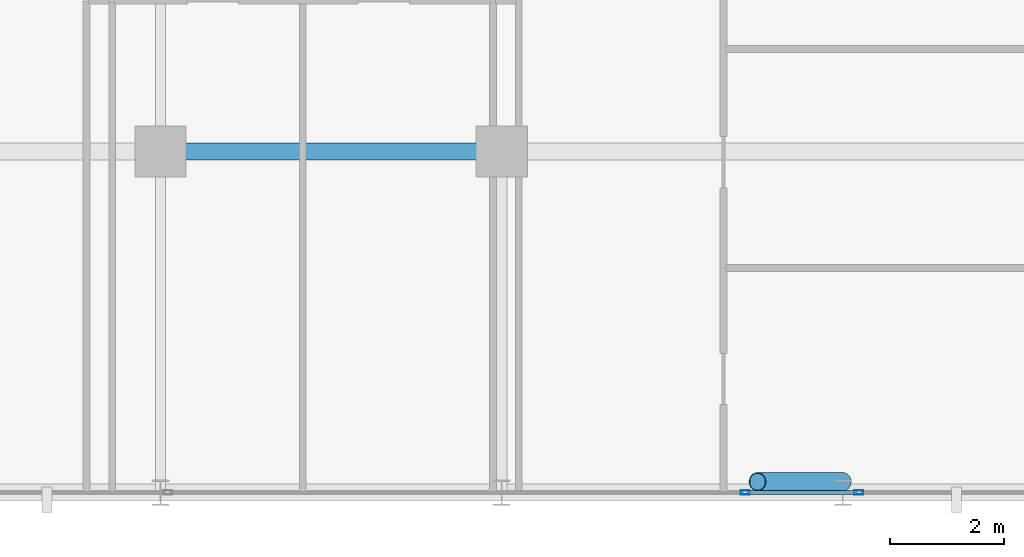
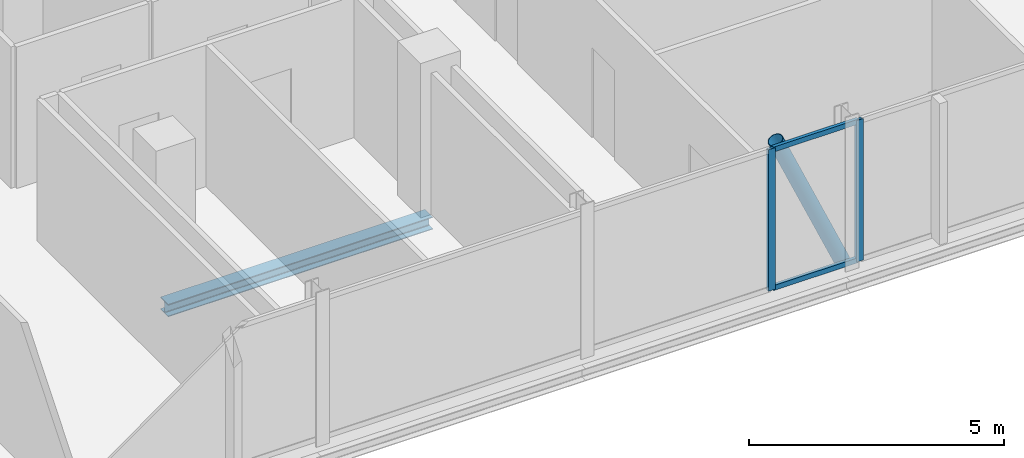
# One storey, part 10 of 29: 5 members, 1 beam, 2 elements without a shape of their own.
"""IFC4 building model written with IfcOpenShell, lengths in metres."""

from ifc_helpers import new_model, si_unit, direction, frame, origin, origin_2d, place, context, subcontext, project, spatial, hollow_rectangle, hollow_circle, i_section, extrude, material, layer, layer_set, material_profile, profile_set, type_object, element, aggregate, save


model = new_model("IFC4")

# Units and contexts
model_context = context("Model", 3, precision=1e-05, world=origin(), true_north=direction((0.0, 1.0)))
body_context = subcontext(model_context, "Body", "Model", "MODEL_VIEW")
ifc_project = project(units=[si_unit("LENGTHUNIT", "METRE"), si_unit("AREAUNIT", "SQUARE_METRE"), si_unit("VOLUMEUNIT", "CUBIC_METRE"), si_unit("PLANEANGLEUNIT", "RADIAN"), si_unit("MASSUNIT", "GRAM", prefix="KILO")], contexts=[model_context])

# Site, building, storey
site_placement = place(None, origin())
site = spatial("IfcSite", under=ifc_project, at=site_placement, CompositionType="ELEMENT")
building_placement = place(site_placement, origin())
building = spatial("IfcBuilding", under=site, at=building_placement, Name="Keshet Zoharim Tower", CompositionType="ELEMENT")
storey_placement = place(building_placement, frame((0.0, 0.0, 203.199951171875)))
storey = spatial("IfcBuildingStorey", under=building, at=storey_placement, Name="L50", CompositionType="ELEMENT", Elevation=203.199951171875)

# Beam
ifc_material_1 = material(Name="Steel S355", Category="steel")
ifc_material_profile_1 = material_profile(ifc_material_1, i_section(OverallWidth=0.300048828125, OverallDepth=0.300048828125, WebThickness=0.010986328125, FlangeThickness=0.01904296875, FilletRadius=0.027099609375, at=origin_2d()), Name="HEB300")
ifc_profile_set_1 = profile_set([ifc_material_profile_1], Name="Steel S355")
beam_type = type_object("IfcBeamType", Name="BM-PRI-HB300", PredefinedType="BEAM", material=ifc_profile_set_1)
beam_placement = place(storey_placement, frame((33.0, 6.699951171875, -0.4599609375), z_axis=(1.0, 0.0, 0.0), x_axis=(0.0, 1.0, 0.0)))
element("IfcBeam", 1, at=beam_placement, inside=storey, type_object=beam_type, Name="L50 Primary Girder X-007", PredefinedType="BEAM", context=body_context, shape_type="SweptSolid", body=[
    extrude(i_section(OverallWidth=0.300048828125, OverallDepth=0.300048828125, WebThickness=0.010986328125, FlangeThickness=0.01904296875, FilletRadius=0.027099609375, at=origin_2d()), origin(), (0.0, 0.0, 1.0), 6.0),
])

# Curtain wall, member
ifc_material_2 = material(Name="Aluminium 6063-T6", Category="aluminium")
ifc_layer = layer(ifc_material_2, 0.139892578125)
ifc_layer_set = layer_set([ifc_layer], Name="Aluminium 6063-T6")
curtain_wall_type = type_object("IfcCurtainWallType", Name="CW-SYS-05", PredefinedType="NOTDEFINED", material=ifc_layer_set)
curtain_wall_1_placement = place(storey_placement, origin())
curtain_wall_1 = element("IfcCurtainWall", 2, at=curtain_wall_1_placement, inside=storey, type_object=curtain_wall_type, Name="L50 Unitised Curtain Wall 06", PredefinedType="NOTDEFINED")
ifc_material_profile_2 = material_profile(ifc_material_2, hollow_rectangle(XDim=0.074951171875, YDim=0.159912109375, WallThickness=0.00390625, at=origin_2d()), Name="MUL-75x160")
ifc_profile_set_2 = profile_set([ifc_material_profile_2], Name="Aluminium 6063-T6")
member_type_1 = type_object("IfcMemberType", Name="CWM-M15", PredefinedType="MULLION", material=ifc_profile_set_2)
member_1_placement = place(storey_placement, frame((45.283203125, 0.699951171875, 0.0), z_axis=(0.0, 0.0, 1.0), x_axis=(0.0, -1.0, 0.0)))
member_1 = element("IfcMember", 3, at=member_1_placement, type_object=member_type_1, Name="CW-05 mullion 2", PredefinedType="MULLION", context=body_context, shape_type="SweptSolid", body=[
    extrude(hollow_rectangle(XDim=0.074951171875, YDim=0.159912109375, WallThickness=0.00390625, at=origin_2d()), origin(), (0.0, 0.0, 1.0), 3.39013671875),
])
aggregate(curtain_wall_1, [member_1])

# Curtain wall, members
curtain_wall_2_placement = place(storey_placement, origin())
curtain_wall_2 = element("IfcCurtainWall", 4, at=curtain_wall_2_placement, inside=storey, type_object=curtain_wall_type, Name="L50 Unitised Curtain Wall 06 Part 2", PredefinedType="NOTDEFINED")
member_2_placement = place(storey_placement, frame((43.286865234375, 0.699951171875, 0.0), z_axis=(0.0, 0.0, 1.0), x_axis=(0.0, -1.0, 0.0)))
member_2 = element("IfcMember", 5, at=member_2_placement, type_object=member_type_1, Name="CW-05 mullion 2", PredefinedType="MULLION", context=body_context, shape_type="SweptSolid", body=[
    extrude(hollow_rectangle(XDim=0.074951171875, YDim=0.159912109375, WallThickness=0.00390625, at=origin_2d()), origin(), (0.0, 0.0, 1.0), 3.39013671875),
])
ifc_material_profile_3 = material_profile(ifc_material_2, hollow_rectangle(XDim=0.074951171875, YDim=0.1201171875, WallThickness=0.00390625, at=origin_2d()), Name="TRN-75x120")
ifc_profile_set_3 = profile_set([ifc_material_profile_3], Name="Aluminium 6063-T6")
member_type_2 = type_object("IfcMemberType", Name="CWT-T12", PredefinedType="USERDEFINED", material=ifc_profile_set_3)
member_3_placement = place(storey_placement, frame((45.248046875, 0.699951171875, 0.03515625), z_axis=(-1.0, 0.0, 0.0), x_axis=(0.0, -1.0, 0.0)))
member_3 = element("IfcMember", 6, at=member_3_placement, type_object=member_type_2, Name="CW-05 transom 1.1", ObjectType="TRANSOM", PredefinedType="USERDEFINED", context=body_context, shape_type="SweptSolid", body=[
    extrude(hollow_rectangle(XDim=0.074951171875, YDim=0.1201171875, WallThickness=0.00390625, at=origin_2d()), origin(), (0.0, 0.0, 1.0), 1.926025390625),
])
member_4_placement = place(storey_placement, frame((45.248046875, 0.699951171875, 3.35498046875), z_axis=(-1.0, 0.0, 0.0), x_axis=(0.0, -1.0, 0.0)))
member_4 = element("IfcMember", 7, at=member_4_placement, type_object=member_type_2, Name="CW-05 transom 1.2", ObjectType="TRANSOM", PredefinedType="USERDEFINED", context=body_context, shape_type="SweptSolid", body=[
    extrude(hollow_rectangle(XDim=0.074951171875, YDim=0.1201171875, WallThickness=0.00390625, at=origin_2d()), origin(), (0.0, 0.0, 1.0), 1.926025390625),
])
aggregate(curtain_wall_2, [member_2, member_3, member_4])

# Member
ifc_material_profile_4 = material_profile(ifc_material_1, hollow_circle(Radius=0.161865234375, WallThickness=0.012451171875, at=origin_2d()), Name="CHS323x12.5")
ifc_profile_set_4 = profile_set([ifc_material_profile_4], Name="Steel S355")
member_type_3 = type_object("IfcMemberType", Name="MB-BR-C323", PredefinedType="BRACE", material=ifc_profile_set_4)
member_5_placement = place(storey_placement, frame((45.0, 0.889892578125, 0.0), z_axis=(-0.404622528463, 0.0, 0.914483793984), x_axis=(0.0, -1.0, 0.0)))
element("IfcMember", 8, at=member_5_placement, inside=storey, type_object=member_type_3, Name="L50 Perimeter Tube Brace 03", PredefinedType="BRACE", context=body_context, shape_type="SweptSolid", body=[
    extrude(hollow_circle(Radius=0.161865234375, WallThickness=0.012451171875, at=origin_2d()), origin(), (0.0, 0.0, 1.0), 3.707275390625),
])

save(model, "model.ifc")
